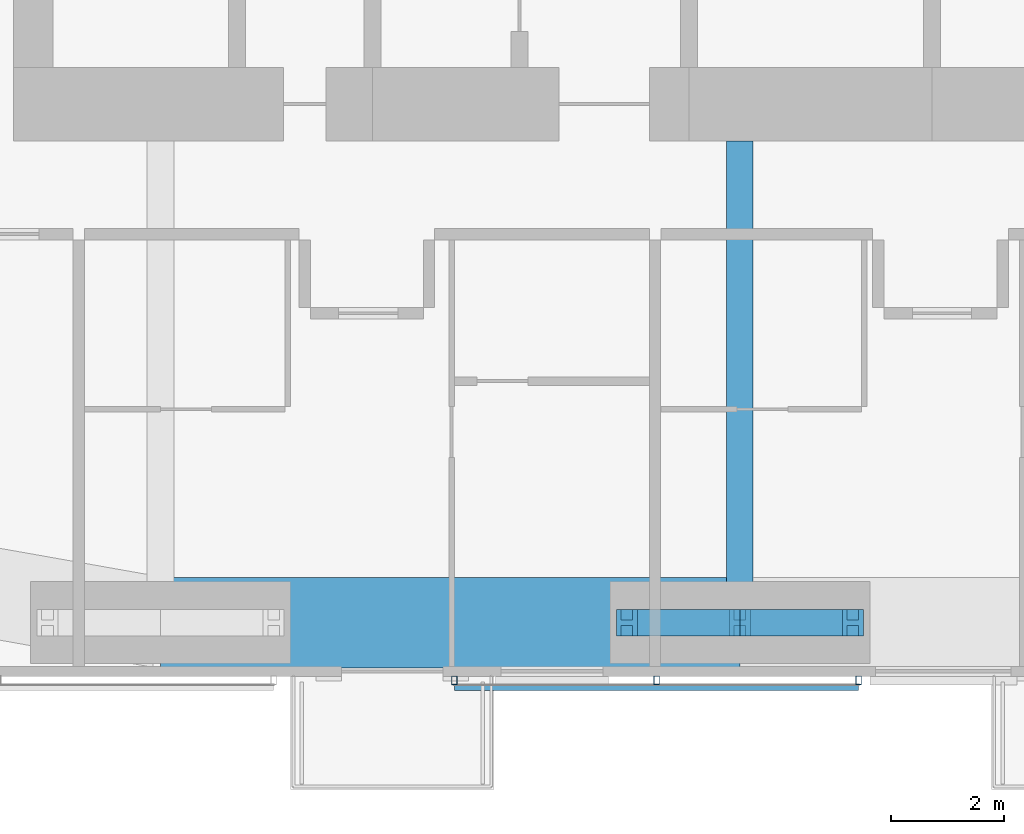
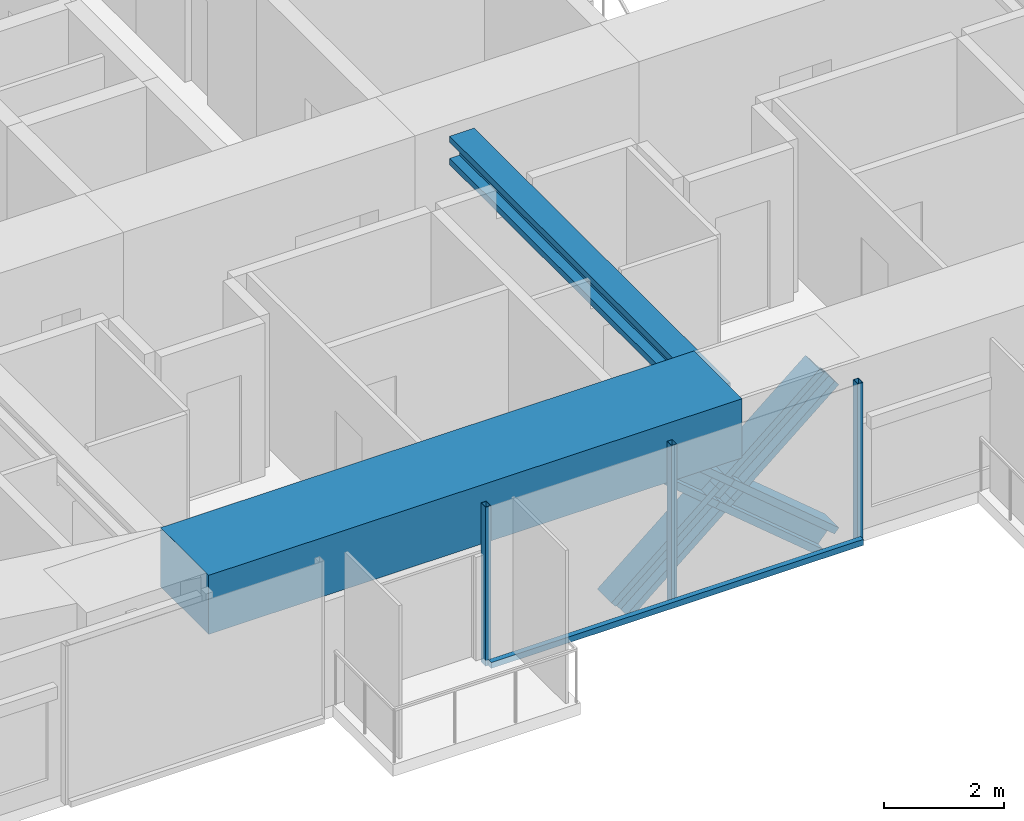
# One storey, part 3 of 23: 8 members, 2 beams, 1 element without a shape of its own.
"""IFC4 building model written with IfcOpenShell, lengths in metres."""

from ifc_helpers import new_model, si_unit, direction, frame, origin, origin_2d, place, context, subcontext, project, spatial, rectangle, hollow_rectangle, i_section, extrude, material, material_profile, profile_set, type_object, element, aggregate, save


model = new_model("IFC4")

# Units and contexts
model_context = context("Model", 3, precision=1e-05, world=origin(), true_north=direction((0.0, 1.0)))
body_context = subcontext(model_context, "Body", "Model", "MODEL_VIEW")
ifc_project = project(units=[si_unit("LENGTHUNIT", "METRE"), si_unit("AREAUNIT", "SQUARE_METRE"), si_unit("VOLUMEUNIT", "CUBIC_METRE"), si_unit("PLANEANGLEUNIT", "RADIAN"), si_unit("MASSUNIT", "GRAM", prefix="KILO")], contexts=[model_context])

# Site, building, storey
site_placement = place(None, origin())
site = spatial("IfcSite", under=ifc_project, at=site_placement, CompositionType="ELEMENT")
building_placement = place(site_placement, origin())
building = spatial("IfcBuilding", under=site, at=building_placement, Name="Jalousie Tower", CompositionType="ELEMENT")
storey_placement = place(building_placement, frame((0.0, 0.0, 157.699951171875)))
storey = spatial("IfcBuildingStorey", under=building, at=storey_placement, Name="L42", CompositionType="ELEMENT", Elevation=157.699951171875)

# Beam
ifc_material_1 = material(Name="Steel ASTM A992 Grade 50", Category="steel")
ifc_material_profile_1 = material_profile(ifc_material_1, i_section(OverallWidth=0.472412109375, OverallDepth=0.5791015625, WebThickness=0.094970703125, FlangeThickness=0.1298828125, at=origin_2d()), Name="W14X808")
ifc_profile_set_1 = profile_set([ifc_material_profile_1], Name="Steel ASTM A992 Grade 50")
beam_type_1 = type_object("IfcBeamType", Name="LEAN COLLECTOR W14X808", PredefinedType="BEAM", material=ifc_profile_set_1)
beam_1_placement = place(storey_placement, frame((32.5, 0.949951171875, 2.820556640625), z_axis=(0.0, 1.0, 0.0), x_axis=(-1.0, 0.0, 0.0)))
element("IfcBeam", 1, at=beam_1_placement, inside=storey, type_object=beam_type_1, Name="Lean collector under L43", PredefinedType="BEAM", context=body_context, shape_type="SweptSolid", body=[
    extrude(i_section(OverallWidth=0.472412109375, OverallDepth=0.5791015625, WebThickness=0.094970703125, FlangeThickness=0.1298828125, at=origin_2d()), origin(), (0.0, 0.0, 1.0), 8.525146484375),
])

# Members
ifc_material_2 = material(Name="Steel ASTM A992 Grade 50", Category="steel")
ifc_material_profile_2 = material_profile(ifc_material_2, i_section(OverallWidth=0.472412109375, OverallDepth=0.5791015625, WebThickness=0.094970703125, FlangeThickness=0.1298828125, at=origin_2d()), Name="W14X808")
ifc_profile_set_2 = profile_set([ifc_material_profile_2], Name="Steel ASTM A992 Grade 50")
member_type_1 = type_object("IfcMemberType", Name="PERIMETER BRACE W14X808", PredefinedType="BRACE", material=ifc_profile_set_2)
member_1_placement = place(storey_placement, frame((30.5, 0.949951171875, -0.599853515625), z_axis=(0.766684820047, 0.0, 0.642023665225), x_axis=(0.0, 1.0, 0.0)))
element("IfcMember", 2, at=member_1_placement, inside=storey, type_object=member_type_1, Name="Perimeter brace 03 L42 part 1", PredefinedType="BRACE", context=body_context, shape_type="SweptSolid", body=[
    extrude(i_section(OverallWidth=0.472412109375, OverallDepth=0.5791015625, WebThickness=0.094970703125, FlangeThickness=0.1298828125, at=origin_2d()), origin(), (0.0, 0.0, 1.0), 2.608642578125),
])
member_2_placement = place(storey_placement, frame((32.5, 0.949951171875, 1.074951171875), z_axis=(0.766638753323, 0.0, 0.642078672674), x_axis=(0.0, 1.0, 0.0)))
element("IfcMember", 3, at=member_2_placement, inside=storey, type_object=member_type_1, Name="Perimeter brace 03 L42 part 2", PredefinedType="BRACE", context=body_context, shape_type="SweptSolid", body=[
    extrude(i_section(OverallWidth=0.472412109375, OverallDepth=0.5791015625, WebThickness=0.094970703125, FlangeThickness=0.1298828125, at=origin_2d()), origin(), (0.0, 0.0, 1.0), 2.60888671875),
])
member_3_placement = place(storey_placement, frame((34.5, 0.949951171875, -0.599853515625), z_axis=(-0.766684820047, 0.0, 0.642023665225), x_axis=(0.0, -1.0, 0.0)))
element("IfcMember", 4, at=member_3_placement, inside=storey, type_object=member_type_1, Name="Perimeter brace 03 L42 part 3", PredefinedType="BRACE", context=body_context, shape_type="SweptSolid", body=[
    extrude(i_section(OverallWidth=0.472412109375, OverallDepth=0.5791015625, WebThickness=0.094970703125, FlangeThickness=0.1298828125, at=origin_2d()), origin(), (0.0, 0.0, 1.0), 2.608642578125),
])
member_4_placement = place(storey_placement, frame((32.5, 0.949951171875, 1.074951171875), z_axis=(-0.766638753323, 0.0, 0.642078672674), x_axis=(0.0, -1.0, 0.0)))
element("IfcMember", 5, at=member_4_placement, inside=storey, type_object=member_type_1, Name="Perimeter brace 03 L42 part 4", PredefinedType="BRACE", context=body_context, shape_type="SweptSolid", body=[
    extrude(i_section(OverallWidth=0.472412109375, OverallDepth=0.5791015625, WebThickness=0.094970703125, FlangeThickness=0.1298828125, at=origin_2d()), origin(), (0.0, 0.0, 1.0), 2.60888671875),
])

# Beam
ifc_material_3 = material(Name="Concrete f'c 40 MPa", Category="concrete")
ifc_material_profile_3 = material_profile(ifc_material_3, rectangle(XDim=1.60009765625, YDim=1.199951171875, at=origin_2d()), Name="RC 1600x1200")
ifc_profile_set_3 = profile_set([ifc_material_profile_3], Name="Concrete f'c 40 MPa")
beam_type_2 = type_object("IfcBeamType", Name="RC BEAM 1600x1200", PredefinedType="BEAM", material=ifc_profile_set_3)
beam_2_placement = place(storey_placement, frame((22.25, 0.949951171875, 2.75), z_axis=(1.0, 0.0, 0.0), x_axis=(0.0, 1.0, 0.0)))
element("IfcBeam", 6, at=beam_2_placement, inside=storey, type_object=beam_type_2, Name="Edge band beam 02-03 under L43", PredefinedType="BEAM", context=body_context, shape_type="SweptSolid", body=[
    extrude(rectangle(XDim=1.60009765625, YDim=1.199951171875, at=origin_2d()), origin(), (0.0, 0.0, 1.0), 10.25),
])

# Curtain wall, members
ifc_material_4 = material(Name="Perforated aluminium sheet", Category="aluminium")
curtain_wall_type = type_object("IfcCurtainWallType", Name="SOLAR SCREEN SS-1", PredefinedType="USERDEFINED", material=ifc_material_4)
curtain_wall_placement = place(storey_placement, origin())
curtain_wall = element("IfcCurtainWall", 7, at=curtain_wall_placement, inside=storey, type_object=curtain_wall_type, Name="Solar screen L42", ObjectType="SOLAR SCREEN SS-1", PredefinedType="USERDEFINED")
ifc_material_5 = material(Name="Steel ASTM A500 Grade C", Category="steel")
ifc_material_profile_4 = material_profile(ifc_material_5, hollow_rectangle(XDim=0.1015625, YDim=0.15234375, WallThickness=0.00634765625, at=origin_2d()), Name="HSS6X4X1/4")
ifc_profile_set_4 = profile_set([ifc_material_profile_4], Name="Steel ASTM A500 Grade C")
member_type_2 = type_object("IfcMemberType", Name="SOLAR SCREEN SS-1 MULLION", PredefinedType="MULLION", material=ifc_profile_set_4)
member_5_placement = place(storey_placement, frame((27.449951171875, -0.0712890625, -0.119873046875), z_axis=(0.0, 0.0, 1.0), x_axis=(1.0, 0.0, 0.0)))
member_5 = element("IfcMember", 8, at=member_5_placement, type_object=member_type_2, Name="SS1 post 1", PredefinedType="MULLION", context=body_context, shape_type="SweptSolid", body=[
    extrude(hollow_rectangle(XDim=0.1015625, YDim=0.15234375, WallThickness=0.00634765625, at=origin_2d()), origin(), (0.0, 0.0, 1.0), 3.22998046875),
])
member_6_placement = place(storey_placement, frame((31.02490234375, -0.0712890625, -0.119873046875), z_axis=(0.0, 0.0, 1.0), x_axis=(1.0, 0.0, 0.0)))
member_6 = element("IfcMember", 9, at=member_6_placement, type_object=member_type_2, Name="SS1 post 2", PredefinedType="MULLION", context=body_context, shape_type="SweptSolid", body=[
    extrude(hollow_rectangle(XDim=0.1015625, YDim=0.15234375, WallThickness=0.00634765625, at=origin_2d()), origin(), (0.0, 0.0, 1.0), 3.22998046875),
])
member_7_placement = place(storey_placement, frame((34.60009765625, -0.0712890625, -0.119873046875), z_axis=(0.0, 0.0, 1.0), x_axis=(1.0, 0.0, 0.0)))
member_7 = element("IfcMember", 10, at=member_7_placement, type_object=member_type_2, Name="SS1 post 3", PredefinedType="MULLION", context=body_context, shape_type="SweptSolid", body=[
    extrude(hollow_rectangle(XDim=0.1015625, YDim=0.15234375, WallThickness=0.00634765625, at=origin_2d()), origin(), (0.0, 0.0, 1.0), 3.22998046875),
])
ifc_material_6 = material(Name="Extruded aluminium screen rail", Category="aluminium")
ifc_material_profile_5 = material_profile(ifc_material_6, rectangle(XDim=0.1015625, YDim=0.1201171875, at=origin_2d()), Name="RAIL 102x120")
ifc_profile_set_5 = profile_set([ifc_material_profile_5], Name="Extruded aluminium screen rail")
member_type_3 = type_object("IfcMemberType", Name="SOLAR SCREEN SS-1 TRANSOM", PredefinedType="USERDEFINED", material=ifc_profile_set_5)
member_8_placement = place(storey_placement, frame((27.449951171875, -0.1982421875, -0.06005859375), z_axis=(1.0, 0.0, 0.0), x_axis=(0.0, 1.0, 0.0)))
member_8 = element("IfcMember", 11, at=member_8_placement, type_object=member_type_3, Name="SS1 rail", ObjectType="TRANSOM", PredefinedType="USERDEFINED", context=body_context, shape_type="SweptSolid", body=[
    extrude(rectangle(XDim=0.1015625, YDim=0.1201171875, at=origin_2d()), origin(), (0.0, 0.0, 1.0), 7.150146484375),
])
aggregate(curtain_wall, [member_5, member_6, member_7, member_8])

save(model, "model.ifc")
